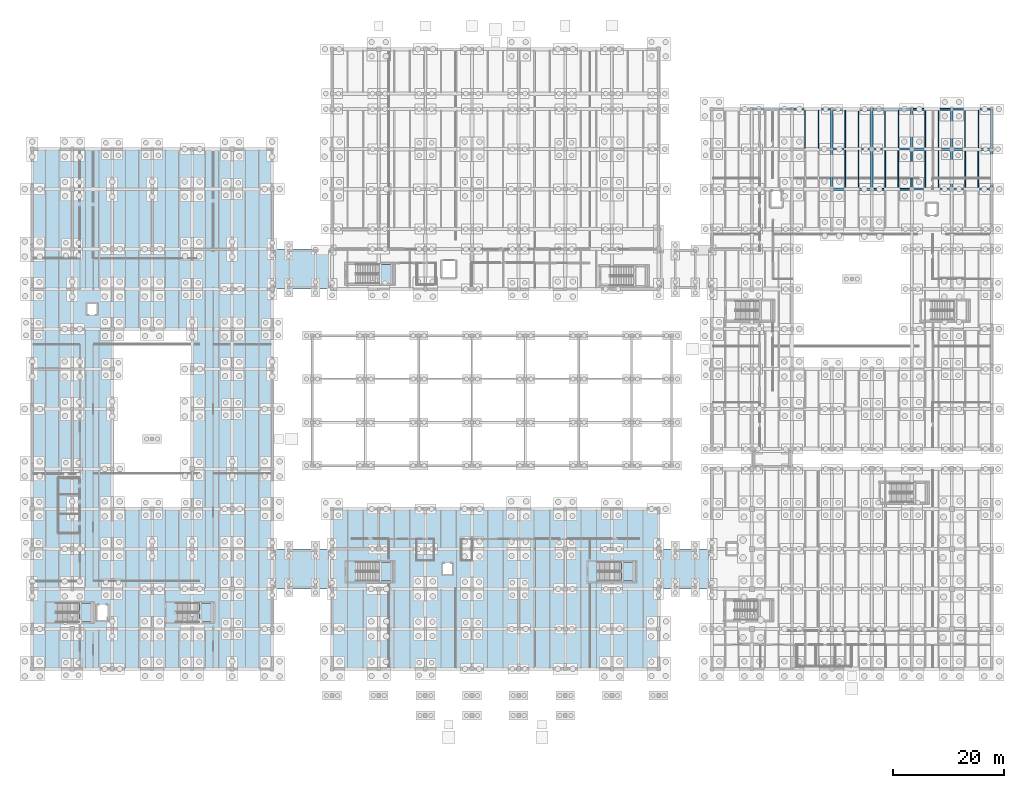
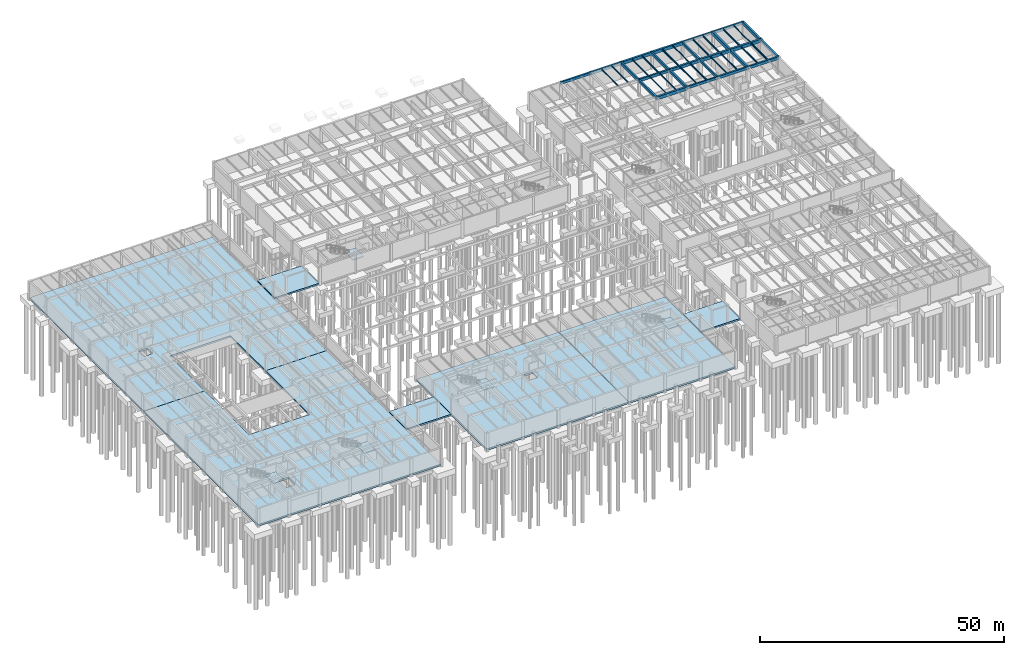
# One storey, part 38 of 63: 42 beams, 12 slabs, 5 elements without a shape of their own.
"""IFC4 building model written with IfcOpenShell, lengths in metres."""

from ifc_helpers import new_model, si_unit, direction, frame, origin, origin_2d, place, context, subcontext, project, spatial, polyline, rectangle, i_section, outline, extrude, material, layer, layer_set, material_profile, profile_set, type_object, element, aggregate, save


model = new_model("IFC4")

# Units and contexts
model_context = context("Model", 3, precision=1e-05, world=origin(), true_north=direction((0.0, 1.0)))
body_context = subcontext(model_context, "Body", "Model", "MODEL_VIEW")
ifc_project = project(units=[si_unit("LENGTHUNIT", "METRE"), si_unit("AREAUNIT", "SQUARE_METRE"), si_unit("VOLUMEUNIT", "CUBIC_METRE"), si_unit("PLANEANGLEUNIT", "RADIAN"), si_unit("MASSUNIT", "GRAM", prefix="KILO")], contexts=[model_context])

# Site, building, storey
site_placement = place(None, origin())
site = spatial("IfcSite", under=ifc_project, at=site_placement, CompositionType="ELEMENT")
building_placement = place(site_placement, origin())
building = spatial("IfcBuilding", under=site, at=building_placement, Name="Mazaris Harbour Polytechnic", CompositionType="ELEMENT")
storey_placement = place(building_placement, frame((0.0, 0.0, -4.5)))
storey = spatial("IfcBuildingStorey", under=building, at=storey_placement, Name="B1", CompositionType="ELEMENT", Elevation=-4.5)

# Beams
ifc_material_1 = material(Name="Concrete C35/45", Category="concrete")
ifc_material_profile_1 = material_profile(ifc_material_1, rectangle(XDim=0.35009765625, YDim=0.60009765625, at=origin_2d()), Name="RECT350x600")
ifc_profile_set_1 = profile_set([ifc_material_profile_1], Name="Concrete C35/45")
beam_type_1 = type_object("IfcBeamType", Name="RC Girder 350x600", PredefinedType="BEAM", material=ifc_profile_set_1)
for number, where, z_axis, x_axis, name in (
    (1, (151.199951171875, 93.60009765625, 3.8798828125), (1.0, 0.0, 0.0), (0.0, 1.0, 0.0), "V5 B1 Girder 2530"),
    (2, (158.39990234375, 93.60009765625, 3.8798828125), (0.0, 1.0, 0.0), (-1.0, 0.0, 0.0), "V5 B1 Tie Girder 2590"),
):
    element("IfcBeam", number, at=place(storey_placement, frame(where, z_axis=z_axis, x_axis=x_axis)), inside=storey, type_object=beam_type_1, Name=name, PredefinedType="BEAM", context=body_context, shape_type="SweptSolid", body=[
        extrude(rectangle(XDim=0.35009765625, YDim=0.60009765625, at=origin_2d()), origin(), (0.0, 0.0, 1.0), 7.199951171875),
    ])
ifc_material_2 = material(Name="Concrete C35/45", Category="concrete")
ifc_material_profile_2 = material_profile(ifc_material_2, rectangle(XDim=0.35009765625, YDim=0.60009765625, at=origin_2d()), Name="RECT350x600")
ifc_profile_set_2 = profile_set([ifc_material_profile_2], Name="Concrete C35/45")
beam_type_2 = type_object("IfcBeamType", Name="RC Girder 350x600 Exterior", PredefinedType="BEAM", material=ifc_profile_set_2)
beam_1_placement = place(storey_placement, frame((158.39990234375, 108.0, 3.8798828125), z_axis=(1.0, 0.0, 0.0), x_axis=(0.0, 1.0, 0.0)))
element("IfcBeam", 3, at=beam_1_placement, inside=storey, type_object=beam_type_2, Name="V5 B1 Girder 2545", PredefinedType="BEAM", context=body_context, shape_type="SweptSolid", body=[
    extrude(rectangle(XDim=0.35009765625, YDim=0.60009765625, at=origin_2d()), origin(), (0.0, 0.0, 1.0), 7.2001953125),
])
ifc_material_3 = material(Name="Concrete C35/45", Category="concrete")
ifc_material_profile_3 = material_profile(ifc_material_3, rectangle(XDim=0.39990234375, YDim=0.64990234375, at=origin_2d()), Name="RECT400x650")
ifc_profile_set_3 = profile_set([ifc_material_profile_3], Name="Concrete C35/45")
beam_type_3 = type_object("IfcBeamType", Name="RC Girder 400x650", PredefinedType="BEAM", material=ifc_profile_set_3)
beam_2_placement = place(storey_placement, frame((158.39990234375, 93.60009765625, 3.85498046875), z_axis=(1.0, 0.0, 0.0), x_axis=(0.0, 1.0, 0.0)))
element("IfcBeam", 4, at=beam_2_placement, inside=storey, type_object=beam_type_3, Name="V5 B1 Girder 2531", PredefinedType="BEAM", context=body_context, shape_type="SweptSolid", body=[
    extrude(rectangle(XDim=0.39990234375, YDim=0.64990234375, at=origin_2d()), origin(), (0.0, 0.0, 1.0), 7.2001953125),
])
for number, where, z_axis, x_axis, name in (
    (5, (144.0, 100.800048828125, 3.85498046875), (1.0, 0.0, 0.0), (0.0, 1.0, 0.0), "V5 B1 Girder 2536"),
    (6, (144.0, 93.60009765625, 3.85498046875), (0.0, 1.0, 0.0), (-1.0, 0.0, 0.0), "V5 B1 Tie Girder 2576"),
    (7, (151.199951171875, 93.60009765625, 3.85498046875), (0.0, 1.0, 0.0), (-1.0, 0.0, 0.0), "V5 B1 Tie Girder 2581"),
    (8, (158.39990234375, 100.800048828125, 3.85498046875), (0.0, 1.0, 0.0), (-1.0, 0.0, 0.0), "V5 B1 Tie Girder 2591"),
):
    element("IfcBeam", number, at=place(storey_placement, frame(where, z_axis=z_axis, x_axis=x_axis)), inside=storey, type_object=beam_type_3, Name=name, PredefinedType="BEAM", context=body_context, shape_type="SweptSolid", body=[
        extrude(rectangle(XDim=0.39990234375, YDim=0.64990234375, at=origin_2d()), origin(), (0.0, 0.0, 1.0), 7.199951171875),
    ])
ifc_material_4 = material(Name="Concrete C35/45", Category="concrete")
ifc_material_profile_4 = material_profile(ifc_material_4, rectangle(XDim=0.39990234375, YDim=0.64990234375, at=origin_2d()), Name="RECT400x650")
ifc_profile_set_4 = profile_set([ifc_material_profile_4], Name="Concrete C35/45")
beam_type_4 = type_object("IfcBeamType", Name="RC Girder 400x650 Exterior", PredefinedType="BEAM", material=ifc_profile_set_4)
for number, where, z_axis, x_axis, name in (
    (9, (129.60009765625, 108.0, 3.85498046875), (1.0, 0.0, 0.0), (0.0, 1.0, 0.0), "V5 B1 Girder 2541"),
    (10, (165.60009765625, 108.0, 3.85498046875), (1.0, 0.0, 0.0), (0.0, 1.0, 0.0), "V5 B1 Girder 2546"),
):
    element("IfcBeam", number, at=place(storey_placement, frame(where, z_axis=z_axis, x_axis=x_axis)), inside=storey, type_object=beam_type_4, Name=name, PredefinedType="BEAM", context=body_context, shape_type="SweptSolid", body=[
        extrude(rectangle(XDim=0.39990234375, YDim=0.64990234375, at=origin_2d()), origin(), (0.0, 0.0, 1.0), 7.199951171875),
    ])
ifc_material_5 = material(Name="Concrete C35/45", Category="concrete")
ifc_material_profile_5 = material_profile(ifc_material_5, rectangle(XDim=0.39990234375, YDim=0.699951171875, at=origin_2d()), Name="RECT400x700")
ifc_profile_set_5 = profile_set([ifc_material_profile_5], Name="Concrete C35/45")
beam_type_5 = type_object("IfcBeamType", Name="RC Girder 400x700", PredefinedType="BEAM", material=ifc_profile_set_5)
for number, where, z_axis, x_axis, name in (
    (11, (165.60009765625, 93.60009765625, 3.830078125), (1.0, 0.0, 0.0), (0.0, 1.0, 0.0), "V5 B1 Girder 2532"),
    (12, (151.199951171875, 100.800048828125, 3.830078125), (1.0, 0.0, 0.0), (0.0, 1.0, 0.0), "V5 B1 Girder 2537"),
    (13, (144.0, 100.800048828125, 3.830078125), (0.0, 1.0, 0.0), (-1.0, 0.0, 0.0), "V5 B1 Tie Girder 2577"),
    (14, (151.199951171875, 100.800048828125, 3.830078125), (0.0, 1.0, 0.0), (-1.0, 0.0, 0.0), "V5 B1 Tie Girder 2582"),
):
    element("IfcBeam", number, at=place(storey_placement, frame(where, z_axis=z_axis, x_axis=x_axis)), inside=storey, type_object=beam_type_5, Name=name, PredefinedType="BEAM", context=body_context, shape_type="SweptSolid", body=[
        extrude(rectangle(XDim=0.39990234375, YDim=0.699951171875, at=origin_2d()), origin(), (0.0, 0.0, 1.0), 7.199951171875),
    ])
ifc_material_6 = material(Name="Concrete C35/45", Category="concrete")
ifc_material_profile_6 = material_profile(ifc_material_6, rectangle(XDim=0.39990234375, YDim=0.699951171875, at=origin_2d()), Name="RECT400x700")
ifc_profile_set_6 = profile_set([ifc_material_profile_6], Name="Concrete C35/45")
beam_type_6 = type_object("IfcBeamType", Name="RC Girder 400x700 Exterior", PredefinedType="BEAM", material=ifc_profile_set_6)
for number, where, z_axis, x_axis, name in (
    (15, (136.800048828125, 108.0, 3.830078125), (1.0, 0.0, 0.0), (0.0, 1.0, 0.0), "V5 B1 Girder 2542"),
    (16, (172.800048828125, 93.60009765625, 3.830078125), (0.0, 1.0, 0.0), (-1.0, 0.0, 0.0), "V5 B1 Tie Girder 2607"),
):
    element("IfcBeam", number, at=place(storey_placement, frame(where, z_axis=z_axis, x_axis=x_axis)), inside=storey, type_object=beam_type_6, Name=name, PredefinedType="BEAM", context=body_context, shape_type="SweptSolid", body=[
        extrude(rectangle(XDim=0.39990234375, YDim=0.699951171875, at=origin_2d()), origin(), (0.0, 0.0, 1.0), 7.199951171875),
    ])
ifc_material_7 = material(Name="Concrete C40/50", Category="concrete")
ifc_material_profile_7 = material_profile(ifc_material_7, rectangle(XDim=0.449951171875, YDim=0.75, at=origin_2d()), Name="RECT450x750")
ifc_profile_set_7 = profile_set([ifc_material_profile_7], Name="Concrete C40/50")
beam_type_7 = type_object("IfcBeamType", Name="RC Girder 450x750", PredefinedType="BEAM", material=ifc_profile_set_7)
beam_3_placement = place(storey_placement, frame((158.39990234375, 100.800048828125, 3.804931640625), z_axis=(1.0, 0.0, 0.0), x_axis=(0.0, 1.0, 0.0)))
element("IfcBeam", 17, at=beam_3_placement, inside=storey, type_object=beam_type_7, Name="V5 B1 Girder 2538", PredefinedType="BEAM", context=body_context, shape_type="SweptSolid", body=[
    extrude(rectangle(XDim=0.449951171875, YDim=0.75, at=origin_2d()), origin(), (0.0, 0.0, 1.0), 7.2001953125),
])
beam_4_placement = place(storey_placement, frame((165.60009765625, 93.60009765625, 3.804931640625), z_axis=(0.0, 1.0, 0.0), x_axis=(-1.0, 0.0, 0.0)))
element("IfcBeam", 18, at=beam_4_placement, inside=storey, type_object=beam_type_7, Name="V5 B1 Tie Girder 2598", PredefinedType="BEAM", context=body_context, shape_type="SweptSolid", body=[
    extrude(rectangle(XDim=0.449951171875, YDim=0.75, at=origin_2d()), origin(), (0.0, 0.0, 1.0), 7.199951171875),
])
ifc_material_8 = material(Name="Concrete C40/50", Category="concrete")
ifc_material_profile_8 = material_profile(ifc_material_8, rectangle(XDim=0.449951171875, YDim=0.75, at=origin_2d()), Name="RECT450x750")
ifc_profile_set_8 = profile_set([ifc_material_profile_8], Name="Concrete C40/50")
beam_type_8 = type_object("IfcBeamType", Name="RC Girder 450x750 Exterior", PredefinedType="BEAM", material=ifc_profile_set_8)
for number, where, z_axis, x_axis, name in (
    (19, (144.0, 108.0, 3.804931640625), (1.0, 0.0, 0.0), (0.0, 1.0, 0.0), "V5 B1 Girder 2543"),
    (20, (172.800048828125, 100.800048828125, 3.804931640625), (0.0, 1.0, 0.0), (-1.0, 0.0, 0.0), "V5 B1 Tie Girder 2608"),
):
    element("IfcBeam", number, at=place(storey_placement, frame(where, z_axis=z_axis, x_axis=x_axis)), inside=storey, type_object=beam_type_8, Name=name, PredefinedType="BEAM", context=body_context, shape_type="SweptSolid", body=[
        extrude(rectangle(XDim=0.449951171875, YDim=0.75, at=origin_2d()), origin(), (0.0, 0.0, 1.0), 7.199951171875),
    ])
ifc_material_9 = material(Name="Concrete C40/50", Category="concrete")
ifc_material_profile_9 = material_profile(ifc_material_9, rectangle(XDim=0.449951171875, YDim=0.800048828125, at=origin_2d()), Name="RECT450x800")
ifc_profile_set_9 = profile_set([ifc_material_profile_9], Name="Concrete C40/50")
beam_type_9 = type_object("IfcBeamType", Name="RC Girder 450x800", PredefinedType="BEAM", material=ifc_profile_set_9)
for number, where, z_axis, x_axis, name in (
    (21, (144.0, 93.60009765625, 3.780029296875), (1.0, 0.0, 0.0), (0.0, 1.0, 0.0), "V5 B1 Girder 2529"),
    (22, (165.60009765625, 100.800048828125, 3.780029296875), (1.0, 0.0, 0.0), (0.0, 1.0, 0.0), "V5 B1 Girder 2539"),
    (23, (165.60009765625, 100.800048828125, 3.780029296875), (0.0, 1.0, 0.0), (-1.0, 0.0, 0.0), "V5 B1 Tie Girder 2599"),
):
    element("IfcBeam", number, at=place(storey_placement, frame(where, z_axis=z_axis, x_axis=x_axis)), inside=storey, type_object=beam_type_9, Name=name, PredefinedType="BEAM", context=body_context, shape_type="SweptSolid", body=[
        extrude(rectangle(XDim=0.449951171875, YDim=0.800048828125, at=origin_2d()), origin(), (0.0, 0.0, 1.0), 7.199951171875),
    ])
ifc_material_10 = material(Name="Concrete C40/50", Category="concrete")
ifc_material_profile_10 = material_profile(ifc_material_10, rectangle(XDim=0.449951171875, YDim=0.800048828125, at=origin_2d()), Name="RECT450x800")
ifc_profile_set_10 = profile_set([ifc_material_profile_10], Name="Concrete C40/50")
beam_type_10 = type_object("IfcBeamType", Name="RC Girder 450x800 Exterior", PredefinedType="BEAM", material=ifc_profile_set_10)
beam_5_placement = place(storey_placement, frame((151.199951171875, 108.0, 3.780029296875), z_axis=(1.0, 0.0, 0.0), x_axis=(0.0, 1.0, 0.0)))
element("IfcBeam", 24, at=beam_5_placement, inside=storey, type_object=beam_type_10, Name="V5 B1 Girder 2544", PredefinedType="BEAM", context=body_context, shape_type="SweptSolid", body=[
    extrude(rectangle(XDim=0.449951171875, YDim=0.800048828125, at=origin_2d()), origin(), (0.0, 0.0, 1.0), 7.199951171875),
])
ifc_material_11 = material(Name="Steel S355", Category="steel")
ifc_material_profile_11 = material_profile(ifc_material_11, i_section(OverallWidth=0.10009765625, OverallDepth=0.199951171875, WebThickness=0.005615234375, FlangeThickness=0.008544921875, FilletRadius=0.011962890625, at=origin_2d()), Name="IPE 200")
ifc_profile_set_11 = profile_set([ifc_material_profile_11], Name="Steel S355")
beam_type_11 = type_object("IfcBeamType", Name="Steel Joist IPE200", PredefinedType="JOIST", material=ifc_profile_set_11)
beam_6_placement = place(storey_placement, frame((139.199951171875, 100.97509765625, 4.080078125), z_axis=(0.0, 1.0, 0.0), x_axis=(-1.0, 0.0, 0.0)))
element("IfcBeam", 25, at=beam_6_placement, inside=storey, type_object=beam_type_11, Name="V5 B1 Floor Joist 2646", PredefinedType="JOIST", context=body_context, shape_type="SweptSolid", body=[
    extrude(i_section(OverallWidth=0.10009765625, OverallDepth=0.199951171875, WebThickness=0.005615234375, FlangeThickness=0.008544921875, FilletRadius=0.011962890625, at=origin_2d()), origin(), (0.0, 0.0, 1.0), 6.824951171875),
])
beam_7_placement = place(storey_placement, frame((156.0, 101.0, 4.080078125), z_axis=(0.0, 1.0, 0.0), x_axis=(-1.0, 0.0, 0.0)))
element("IfcBeam", 26, at=beam_7_placement, inside=storey, type_object=beam_type_11, Name="V5 B1 Floor Joist 2667", PredefinedType="JOIST", context=body_context, shape_type="SweptSolid", body=[
    extrude(i_section(OverallWidth=0.10009765625, OverallDepth=0.199951171875, WebThickness=0.005615234375, FlangeThickness=0.008544921875, FilletRadius=0.011962890625, at=origin_2d()), origin(), (0.0, 0.0, 1.0), 6.77490234375),
])
beam_8_placement = place(storey_placement, frame((170.39990234375, 101.02490234375, 4.080078125), z_axis=(0.0, 1.0, 0.0), x_axis=(-1.0, 0.0, 0.0)))
element("IfcBeam", 27, at=beam_8_placement, inside=storey, type_object=beam_type_11, Name="V5 B1 Floor Joist 2695", PredefinedType="JOIST", context=body_context, shape_type="SweptSolid", body=[
    extrude(i_section(OverallWidth=0.10009765625, OverallDepth=0.199951171875, WebThickness=0.005615234375, FlangeThickness=0.008544921875, FilletRadius=0.011962890625, at=origin_2d()), origin(), (0.0, 0.0, 1.0), 6.775146484375),
])
ifc_material_12 = material(Name="Steel S355", Category="steel")
ifc_material_profile_12 = material_profile(ifc_material_12, i_section(OverallWidth=0.1201171875, OverallDepth=0.239990234375, WebThickness=0.006103515625, FlangeThickness=0.009765625, FilletRadius=0.014892578125, at=origin_2d()), Name="IPE 240")
ifc_profile_set_12 = profile_set([ifc_material_profile_12], Name="Steel S355")
beam_type_12 = type_object("IfcBeamType", Name="Steel Joist IPE240", PredefinedType="JOIST", material=ifc_profile_set_12)
beam_9_placement = place(storey_placement, frame((141.60009765625, 100.97509765625, 4.06005859375), z_axis=(0.0, 1.0, 0.0), x_axis=(-1.0, 0.0, 0.0)))
element("IfcBeam", 28, at=beam_9_placement, inside=storey, type_object=beam_type_12, Name="V5 B1 Floor Joist 2647", PredefinedType="JOIST", context=body_context, shape_type="SweptSolid", body=[
    extrude(i_section(OverallWidth=0.1201171875, OverallDepth=0.239990234375, WebThickness=0.006103515625, FlangeThickness=0.009765625, FilletRadius=0.014892578125, at=origin_2d()), origin(), (0.0, 0.0, 1.0), 6.824951171875),
])
beam_10_placement = place(storey_placement, frame((146.39990234375, 93.824951171875, 4.06005859375), z_axis=(0.0, 1.0, 0.0), x_axis=(-1.0, 0.0, 0.0)))
element("IfcBeam", 29, at=beam_10_placement, inside=storey, type_object=beam_type_12, Name="V5 B1 Floor Joist 2654", PredefinedType="JOIST", context=body_context, shape_type="SweptSolid", body=[
    extrude(i_section(OverallWidth=0.1201171875, OverallDepth=0.239990234375, WebThickness=0.006103515625, FlangeThickness=0.009765625, FilletRadius=0.014892578125, at=origin_2d()), origin(), (0.0, 0.0, 1.0), 6.775146484375),
])
ifc_material_13 = material(Name="Steel S355", Category="steel")
ifc_material_profile_13 = material_profile(ifc_material_13, i_section(OverallWidth=0.135009765625, OverallDepth=0.27001953125, WebThickness=0.006591796875, FlangeThickness=0.01025390625, FilletRadius=0.014892578125, at=origin_2d()), Name="IPE 270")
ifc_profile_set_13 = profile_set([ifc_material_profile_13], Name="Steel S355")
beam_type_13 = type_object("IfcBeamType", Name="Steel Joist IPE270", PredefinedType="JOIST", material=ifc_profile_set_13)
beam_11_placement = place(storey_placement, frame((148.800048828125, 93.824951171875, 4.044921875), z_axis=(0.0, 1.0, 0.0), x_axis=(-1.0, 0.0, 0.0)))
element("IfcBeam", 30, at=beam_11_placement, inside=storey, type_object=beam_type_13, Name="V5 B1 Floor Joist 2655", PredefinedType="JOIST", context=body_context, shape_type="SweptSolid", body=[
    extrude(i_section(OverallWidth=0.135009765625, OverallDepth=0.27001953125, WebThickness=0.006591796875, FlangeThickness=0.01025390625, FilletRadius=0.014892578125, at=origin_2d()), origin(), (0.0, 0.0, 1.0), 6.775146484375),
])
ifc_material_14 = material(Name="Steel S355", Category="steel")
ifc_material_profile_14 = material_profile(ifc_material_14, i_section(OverallWidth=0.14990234375, OverallDepth=0.300048828125, WebThickness=0.007080078125, FlangeThickness=0.0107421875, FilletRadius=0.014892578125, at=origin_2d()), Name="IPE 300")
ifc_profile_set_14 = profile_set([ifc_material_profile_14], Name="Steel S355")
beam_type_14 = type_object("IfcBeamType", Name="Steel Joist IPE300", PredefinedType="JOIST", material=ifc_profile_set_14)
for number, where, z_axis, x_axis, name in (
    (31, (146.39990234375, 101.0, 4.030029296875), (0.0, 1.0, 0.0), (-1.0, 0.0, 0.0), "V5 B1 Floor Joist 2656"),
    (32, (160.800048828125, 93.800048828125, 4.030029296875), (0.0, 1.0, 0.0), (-1.0, 0.0, 0.0), "V5 B1 Floor Joist 2677"),
):
    element("IfcBeam", number, at=place(storey_placement, frame(where, z_axis=z_axis, x_axis=x_axis)), inside=storey, type_object=beam_type_14, Name=name, PredefinedType="JOIST", context=body_context, shape_type="SweptSolid", body=[
        extrude(i_section(OverallWidth=0.14990234375, OverallDepth=0.300048828125, WebThickness=0.007080078125, FlangeThickness=0.0107421875, FilletRadius=0.014892578125, at=origin_2d()), origin(), (0.0, 0.0, 1.0), 6.77490234375),
    ])
ifc_material_15 = material(Name="Steel S355", Category="steel")
ifc_material_profile_15 = material_profile(ifc_material_15, i_section(OverallWidth=0.169921875, OverallDepth=0.360107421875, WebThickness=0.008056640625, FlangeThickness=0.0126953125, FilletRadius=0.01806640625, at=origin_2d()), Name="IPE 360")
ifc_profile_set_15 = profile_set([ifc_material_profile_15], Name="Steel S355")
beam_type_15 = type_object("IfcBeamType", Name="Steel Joist IPE360", PredefinedType="JOIST", material=ifc_profile_set_15)
beam_12_placement = place(storey_placement, frame((148.800048828125, 101.0, 4.0), z_axis=(0.0, 1.0, 0.0), x_axis=(-1.0, 0.0, 0.0)))
element("IfcBeam", 33, at=beam_12_placement, inside=storey, type_object=beam_type_15, Name="V5 B1 Floor Joist 2657", PredefinedType="JOIST", context=body_context, shape_type="SweptSolid", body=[
    extrude(i_section(OverallWidth=0.169921875, OverallDepth=0.360107421875, WebThickness=0.008056640625, FlangeThickness=0.0126953125, FilletRadius=0.01806640625, at=origin_2d()), origin(), (0.0, 0.0, 1.0), 6.77490234375),
])
beam_13_placement = place(storey_placement, frame((153.60009765625, 93.77490234375, 4.0), z_axis=(0.0, 1.0, 0.0), x_axis=(-1.0, 0.0, 0.0)))
element("IfcBeam", 34, at=beam_13_placement, inside=storey, type_object=beam_type_15, Name="V5 B1 Floor Joist 2664", PredefinedType="JOIST", context=body_context, shape_type="SweptSolid", body=[
    extrude(i_section(OverallWidth=0.169921875, OverallDepth=0.360107421875, WebThickness=0.008056640625, FlangeThickness=0.0126953125, FilletRadius=0.01806640625, at=origin_2d()), origin(), (0.0, 0.0, 1.0), 6.8251953125),
])
for number, where, z_axis, x_axis, name in (
    (35, (163.199951171875, 93.800048828125, 4.0), (0.0, 1.0, 0.0), (-1.0, 0.0, 0.0), "V5 B1 Floor Joist 2678"),
    (36, (168.0, 93.800048828125, 4.0), (0.0, 1.0, 0.0), (-1.0, 0.0, 0.0), "V5 B1 Floor Joist 2692"),
):
    element("IfcBeam", number, at=place(storey_placement, frame(where, z_axis=z_axis, x_axis=x_axis)), inside=storey, type_object=beam_type_15, Name=name, PredefinedType="JOIST", context=body_context, shape_type="SweptSolid", body=[
        extrude(i_section(OverallWidth=0.169921875, OverallDepth=0.360107421875, WebThickness=0.008056640625, FlangeThickness=0.0126953125, FilletRadius=0.01806640625, at=origin_2d()), origin(), (0.0, 0.0, 1.0), 6.77490234375),
    ])
ifc_material_16 = material(Name="Steel S355", Category="steel")
ifc_material_profile_16 = material_profile(ifc_material_16, i_section(OverallWidth=0.179931640625, OverallDepth=0.39990234375, WebThickness=0.008544921875, FlangeThickness=0.013427734375, FilletRadius=0.02099609375, at=origin_2d()), Name="IPE 400")
ifc_profile_set_16 = profile_set([ifc_material_profile_16], Name="Steel S355")
beam_type_16 = type_object("IfcBeamType", Name="Steel Joist IPE400", PredefinedType="JOIST", material=ifc_profile_set_16)
beam_14_placement = place(storey_placement, frame((156.0, 93.77490234375, 3.97998046875), z_axis=(0.0, 1.0, 0.0), x_axis=(-1.0, 0.0, 0.0)))
element("IfcBeam", 37, at=beam_14_placement, inside=storey, type_object=beam_type_16, Name="V5 B1 Floor Joist 2665", PredefinedType="JOIST", context=body_context, shape_type="SweptSolid", body=[
    extrude(i_section(OverallWidth=0.179931640625, OverallDepth=0.39990234375, WebThickness=0.008544921875, FlangeThickness=0.013427734375, FilletRadius=0.02099609375, at=origin_2d()), origin(), (0.0, 0.0, 1.0), 6.8251953125),
])
beam_15_placement = place(storey_placement, frame((160.800048828125, 101.02490234375, 3.97998046875), z_axis=(0.0, 1.0, 0.0), x_axis=(-1.0, 0.0, 0.0)))
element("IfcBeam", 38, at=beam_15_placement, inside=storey, type_object=beam_type_16, Name="V5 B1 Floor Joist 2679", PredefinedType="JOIST", context=body_context, shape_type="SweptSolid", body=[
    extrude(i_section(OverallWidth=0.179931640625, OverallDepth=0.39990234375, WebThickness=0.008544921875, FlangeThickness=0.013427734375, FilletRadius=0.02099609375, at=origin_2d()), origin(), (0.0, 0.0, 1.0), 6.800048828125),
])
beam_16_placement = place(storey_placement, frame((170.39990234375, 93.800048828125, 3.97998046875), z_axis=(0.0, 1.0, 0.0), x_axis=(-1.0, 0.0, 0.0)))
element("IfcBeam", 39, at=beam_16_placement, inside=storey, type_object=beam_type_16, Name="V5 B1 Floor Joist 2693", PredefinedType="JOIST", context=body_context, shape_type="SweptSolid", body=[
    extrude(i_section(OverallWidth=0.179931640625, OverallDepth=0.39990234375, WebThickness=0.008544921875, FlangeThickness=0.013427734375, FilletRadius=0.02099609375, at=origin_2d()), origin(), (0.0, 0.0, 1.0), 6.77490234375),
])
ifc_material_17 = material(Name="Steel S355", Category="steel")
ifc_material_profile_17 = material_profile(ifc_material_17, i_section(OverallWidth=0.18994140625, OverallDepth=0.449951171875, WebThickness=0.009521484375, FlangeThickness=0.0146484375, FilletRadius=0.02099609375, at=origin_2d()), Name="IPE 450")
ifc_profile_set_17 = profile_set([ifc_material_profile_17], Name="Steel S355")
beam_type_17 = type_object("IfcBeamType", Name="Steel Joist IPE450", PredefinedType="JOIST", material=ifc_profile_set_17)
beam_17_placement = place(storey_placement, frame((153.60009765625, 101.0, 3.955078125), z_axis=(0.0, 1.0, 0.0), x_axis=(-1.0, 0.0, 0.0)))
element("IfcBeam", 40, at=beam_17_placement, inside=storey, type_object=beam_type_17, Name="V5 B1 Floor Joist 2666", PredefinedType="JOIST", context=body_context, shape_type="SweptSolid", body=[
    extrude(i_section(OverallWidth=0.18994140625, OverallDepth=0.449951171875, WebThickness=0.009521484375, FlangeThickness=0.0146484375, FilletRadius=0.02099609375, at=origin_2d()), origin(), (0.0, 0.0, 1.0), 6.77490234375),
])
beam_18_placement = place(storey_placement, frame((163.199951171875, 101.02490234375, 3.955078125), z_axis=(0.0, 1.0, 0.0), x_axis=(-1.0, 0.0, 0.0)))
element("IfcBeam", 41, at=beam_18_placement, inside=storey, type_object=beam_type_17, Name="V5 B1 Floor Joist 2680", PredefinedType="JOIST", context=body_context, shape_type="SweptSolid", body=[
    extrude(i_section(OverallWidth=0.18994140625, OverallDepth=0.449951171875, WebThickness=0.009521484375, FlangeThickness=0.0146484375, FilletRadius=0.02099609375, at=origin_2d()), origin(), (0.0, 0.0, 1.0), 6.800048828125),
])
beam_19_placement = place(storey_placement, frame((168.0, 101.02490234375, 3.955078125), z_axis=(0.0, 1.0, 0.0), x_axis=(-1.0, 0.0, 0.0)))
element("IfcBeam", 42, at=beam_19_placement, inside=storey, type_object=beam_type_17, Name="V5 B1 Floor Joist 2694", PredefinedType="JOIST", context=body_context, shape_type="SweptSolid", body=[
    extrude(i_section(OverallWidth=0.18994140625, OverallDepth=0.449951171875, WebThickness=0.009521484375, FlangeThickness=0.0146484375, FilletRadius=0.02099609375, at=origin_2d()), origin(), (0.0, 0.0, 1.0), 6.775146484375),
])

# Slabs
ifc_material_18 = material(Name="Concrete C35/45", Category="concrete")
ifc_layer_1 = layer(ifc_material_18, 0.3798828125, Name="Concrete C35/45")
ifc_layer_set_1 = layer_set([ifc_layer_1], Name="Concrete C35/45")
slab_type_1 = type_object("IfcSlabType", Name="Basement Link Slab 380", PredefinedType="BASESLAB", material=ifc_layer_set_1)
slab_1_placement = place(storey_placement, frame((0.0, 0.0, -0.3798828125)))
element("IfcSlab", 43, at=slab_1_placement, inside=storey, type_object=slab_type_1, Name="PB-W1 B1 Bridge Deck", PredefinedType="BASESLAB", context=body_context, shape_type="SweptSolid", body=[
    extrude(outline(polyline([(53.85009765625, 21.60009765625), (53.85009765625, 28.800048828125), (43.35009765625, 28.800048828125), (43.35009765625, 21.60009765625), (53.85009765625, 21.60009765625)])), origin(), (0.0, 0.0, 1.0), 0.3798828125),
])
slab_2_placement = place(storey_placement, frame((0.0, 0.0, -0.3798828125)))
element("IfcSlab", 44, at=slab_2_placement, inside=storey, type_object=slab_type_1, Name="PB-W2 B1 Bridge Deck", PredefinedType="BASESLAB", context=body_context, shape_type="SweptSolid", body=[
    extrude(outline(polyline([(53.85009765625, 75.60009765625), (53.85009765625, 82.800048828125), (43.35009765625, 82.800048828125), (43.35009765625, 75.60009765625), (53.85009765625, 75.60009765625)])), origin(), (0.0, 0.0, 1.0), 0.3798828125),
])
slab_3_placement = place(storey_placement, frame((0.0, 0.0, -0.3798828125)))
element("IfcSlab", 45, at=slab_3_placement, inside=storey, type_object=slab_type_1, Name="PB-E1 B1 Bridge Deck", PredefinedType="BASESLAB", context=body_context, shape_type="SweptSolid", body=[
    extrude(outline(polyline([(122.25, 21.60009765625), (122.25, 28.800048828125), (112.949951171875, 28.800048828125), (112.949951171875, 21.60009765625), (122.25, 21.60009765625)])), origin(), (0.0, 0.0, 1.0), 0.3798828125),
])
ifc_material_19 = material(Name="Concrete C35/45", Category="concrete")
ifc_layer_2 = layer(ifc_material_19, 0.419921875, Name="Concrete C35/45")
ifc_layer_set_2 = layer_set([ifc_layer_2], Name="Concrete C35/45")
slab_type_2 = type_object("IfcSlabType", Name="Basement Mat Slab 420", PredefinedType="BASESLAB", material=ifc_layer_set_2)
slab_4_placement = place(storey_placement, frame((0.0, 0.0, -0.419921875)))
element("IfcSlab", 46, at=slab_4_placement, inside=storey, type_object=slab_type_2, Name="V3 B1 Floor Slab", PredefinedType="BASESLAB", context=body_context, shape_type="SweptSolid", body=[
    extrude(outline(polyline([(54.0, 36.0), (87.60009765625, 36.0), (87.60009765625, 7.199951171875), (54.0, 7.199951171875), (54.0, 36.0)]), holes=[polyline([(73.800048828125, 26.300048828125), (73.800048828125, 24.10009765625), (75.800048828125, 24.10009765625), (75.800048828125, 26.300048828125), (73.800048828125, 26.300048828125)])]), origin(), (0.0, 0.0, 1.0), 0.419921875),
])
slab_5_placement = place(storey_placement, frame((0.0, 0.0, -0.419921875)))
element("IfcSlab", 47, at=slab_5_placement, inside=storey, type_object=slab_type_2, Name="V3 B1 Floor Slab", PredefinedType="BASESLAB", context=body_context, shape_type="SweptSolid", body=[
    extrude(outline(polyline([(112.800048828125, 36.0), (112.800048828125, 7.199951171875), (87.60009765625, 7.199951171875), (87.60009765625, 36.0), (112.800048828125, 36.0)])), origin(), (0.0, 0.0, 1.0), 0.419921875),
])
slab_6_placement = place(storey_placement, frame((0.0, 0.0, -0.419921875)))
element("IfcSlab", 48, at=slab_6_placement, inside=storey, type_object=slab_type_2, Name="V4 B1 Floor Slab", PredefinedType="BASESLAB", context=body_context, shape_type="SweptSolid", body=[
    extrude(outline(polyline([(43.199951171875, 7.199951171875), (0.0, 7.199951171875), (0.0, 54.0), (14.39990234375, 54.0), (14.39990234375, 36.0), (28.800048828125, 36.0), (28.800048828125, 54.0), (43.199951171875, 54.0), (43.199951171875, 7.199951171875)]), holes=[polyline([(11.550048828125, 15.824951171875), (13.75, 15.824951171875), (13.75, 18.824951171875), (11.550048828125, 18.824951171875), (11.550048828125, 15.824951171875)])]), origin(), (0.0, 0.0, 1.0), 0.419921875),
])
slab_7_placement = place(storey_placement, frame((0.0, 0.0, -0.419921875)))
element("IfcSlab", 49, at=slab_7_placement, inside=storey, type_object=slab_type_2, Name="V4 B1 Floor Slab", PredefinedType="BASESLAB", context=body_context, shape_type="SweptSolid", body=[
    extrude(outline(polyline([(43.199951171875, 54.0), (28.800048828125, 54.0), (28.800048828125, 68.39990234375), (14.39990234375, 68.39990234375), (14.39990234375, 54.0), (0.0, 54.0), (0.0, 100.800048828125), (43.199951171875, 100.800048828125), (43.199951171875, 54.0)]), holes=[polyline([(9.800048828125, 73.10009765625), (9.800048828125, 70.89990234375), (11.800048828125, 70.89990234375), (11.800048828125, 73.10009765625), (9.800048828125, 73.10009765625)])]), origin(), (0.0, 0.0, 1.0), 0.419921875),
])

# Stair, slab
ifc_material_20 = material(Name="Concrete C40/50", Category="concrete")
stair_type = type_object("IfcStairType", Name="Core Exit Stair H4500", PredefinedType="HALF_TURN_STAIR", material=ifc_material_20)
stair_1_placement = place(storey_placement, origin())
stair_1 = element("IfcStair", 50, at=stair_1_placement, inside=storey, type_object=stair_type, Name="B1 ST01", PredefinedType="HALF_TURN_STAIR")
ifc_material_21 = material(Name="Concrete C40/50", Category="concrete")
ifc_layer_3 = layer(ifc_material_21, 0.199951171875, Name="Concrete C40/50")
ifc_layer_set_3 = layer_set([ifc_layer_3], Name="Concrete C40/50")
slab_type_3 = type_object("IfcSlabType", Name="RC Stair Landing 200", PredefinedType="LANDING", material=ifc_layer_set_3)
slab_8_placement = place(storey_placement, frame((0.0, 0.0, 2.050048828125)))
slab_8 = element("IfcSlab", 51, at=slab_8_placement, type_object=slab_type_3, Name="ST01 landing 1", PredefinedType="LANDING", context=body_context, shape_type="SweptSolid", body=[
    extrude(outline(polyline([(62.449951171875, 76.60009765625), (65.0, 76.60009765625), (65.0, 80.050048828125), (62.449951171875, 80.050048828125), (62.449951171875, 76.60009765625)])), origin(), (0.0, 0.0, 1.0), 0.199951171875),
])
aggregate(stair_1, [slab_8])

stair_2_placement = place(storey_placement, origin())
stair_2 = element("IfcStair", 52, at=stair_2_placement, inside=storey, type_object=stair_type, Name="B1 ST05", PredefinedType="HALF_TURN_STAIR")
slab_9_placement = place(storey_placement, frame((0.0, 0.0, 2.050048828125)))
slab_9 = element("IfcSlab", 53, at=slab_9_placement, type_object=slab_type_3, Name="ST05 landing 1", PredefinedType="LANDING", context=body_context, shape_type="SweptSolid", body=[
    extrude(outline(polyline([(62.449951171875, 23.0), (65.0, 23.0), (65.0, 26.449951171875), (62.449951171875, 26.449951171875), (62.449951171875, 23.0)])), origin(), (0.0, 0.0, 1.0), 0.199951171875),
])
aggregate(stair_2, [slab_9])

stair_3_placement = place(storey_placement, origin())
stair_3 = element("IfcStair", 54, at=stair_3_placement, inside=storey, type_object=stair_type, Name="B1 ST06", PredefinedType="HALF_TURN_STAIR")
slab_10_placement = place(storey_placement, frame((0.0, 0.0, 2.050048828125)))
slab_10 = element("IfcSlab", 55, at=slab_10_placement, type_object=slab_type_3, Name="ST06 landing 1", PredefinedType="LANDING", context=body_context, shape_type="SweptSolid", body=[
    extrude(outline(polyline([(106.050048828125, 23.0), (108.60009765625, 23.0), (108.60009765625, 26.449951171875), (106.050048828125, 26.449951171875), (106.050048828125, 23.0)])), origin(), (0.0, 0.0, 1.0), 0.199951171875),
])
aggregate(stair_3, [slab_10])

stair_4_placement = place(storey_placement, origin())
stair_4 = element("IfcStair", 56, at=stair_4_placement, inside=storey, type_object=stair_type, Name="B1 ST07", PredefinedType="HALF_TURN_STAIR")
slab_11_placement = place(storey_placement, frame((0.0, 0.0, 2.050048828125)))
slab_11 = element("IfcSlab", 57, at=slab_11_placement, type_object=slab_type_3, Name="ST07 landing 1", PredefinedType="LANDING", context=body_context, shape_type="SweptSolid", body=[
    extrude(outline(polyline([(8.449951171875, 15.60009765625), (11.0, 15.60009765625), (11.0, 19.050048828125), (8.449951171875, 19.050048828125), (8.449951171875, 15.60009765625)])), origin(), (0.0, 0.0, 1.0), 0.199951171875),
])
aggregate(stair_4, [slab_11])

stair_5_placement = place(storey_placement, origin())
stair_5 = element("IfcStair", 58, at=stair_5_placement, inside=storey, type_object=stair_type, Name="B1 ST08", PredefinedType="HALF_TURN_STAIR")
slab_12_placement = place(storey_placement, frame((0.0, 0.0, 2.050048828125)))
slab_12 = element("IfcSlab", 59, at=slab_12_placement, type_object=slab_type_3, Name="ST08 landing 1", PredefinedType="LANDING", context=body_context, shape_type="SweptSolid", body=[
    extrude(outline(polyline([(30.050048828125, 15.60009765625), (32.60009765625, 15.60009765625), (32.60009765625, 19.050048828125), (30.050048828125, 19.050048828125), (30.050048828125, 15.60009765625)])), origin(), (0.0, 0.0, 1.0), 0.199951171875),
])
aggregate(stair_5, [slab_12])

save(model, "model.ifc")
